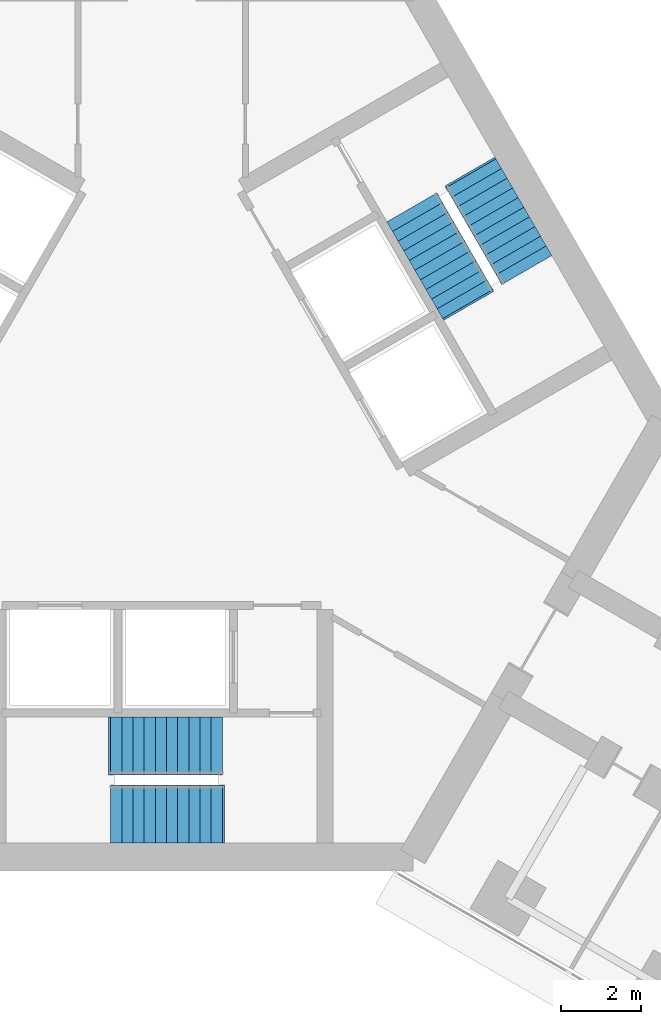
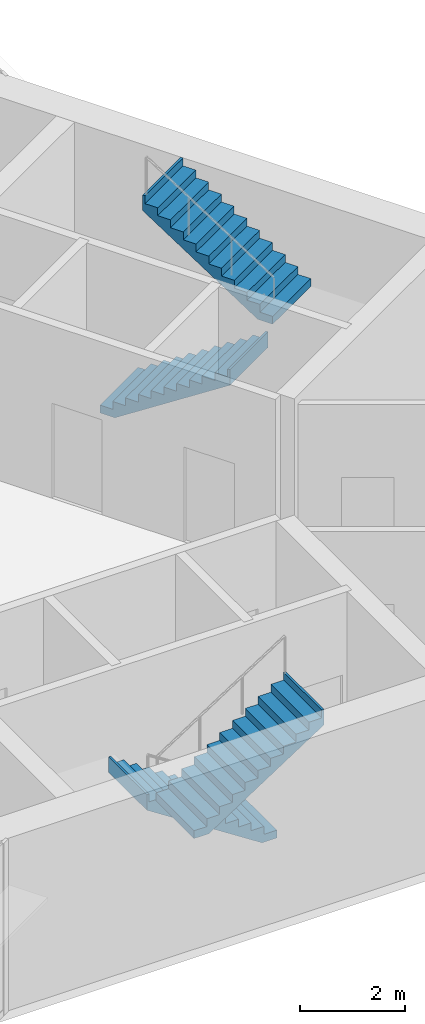
# One storey, part 24 of 25: 4 stair flights, 2 elements without a shape of their own.
"""IFC4 building model written with IfcOpenShell, lengths in metres."""

from ifc_helpers import new_model, si_unit, direction, frame, origin, place, context, subcontext, project, spatial, polyline, outline, extrude, material, type_object, element, aggregate, save


model = new_model("IFC4")

# Units and contexts
model_context = context("Model", 3, precision=1e-05, world=origin(), true_north=direction((0.0, 1.0)))
body_context = subcontext(model_context, "Body", "Model", "MODEL_VIEW")
ifc_project = project(units=[si_unit("LENGTHUNIT", "METRE"), si_unit("AREAUNIT", "SQUARE_METRE"), si_unit("VOLUMEUNIT", "CUBIC_METRE"), si_unit("PLANEANGLEUNIT", "RADIAN"), si_unit("MASSUNIT", "GRAM", prefix="KILO")], contexts=[model_context])

# Site, building, storey
site_placement = place(None, origin())
site = spatial("IfcSite", under=ifc_project, at=site_placement, CompositionType="ELEMENT")
building_placement = place(site_placement, origin())
building = spatial("IfcBuilding", under=site, at=building_placement, Name="Upepo Twin Towers", CompositionType="ELEMENT")
storey_placement = place(building_placement, frame((0.0, 0.0, 84.5)))
storey = spatial("IfcBuildingStorey", under=building, at=storey_placement, Name="L20", CompositionType="ELEMENT", Elevation=84.5)

# Stair, stair flights
ifc_material_1 = material(Name="Concrete C40/50", Category="concrete")
stair_type = type_object("IfcStairType", Name="Core stair, two flights", PredefinedType="HALF_TURN_STAIR", material=ifc_material_1)
stair_1_placement = place(storey_placement, origin())
stair_1 = element("IfcStair", 1, at=stair_1_placement, inside=storey, type_object=stair_type, Name="T2 stair S1 L20", PredefinedType="HALF_TURN_STAIR")
ifc_material_2 = material(Name="Concrete C40/50", Category="concrete")
stair_flight_type = type_object("IfcStairFlightType", Name="Stair flight 1450 RC", PredefinedType="STRAIGHT", material=ifc_material_2)
stair_flight_1_placement = place(storey_placement, frame((60.02001953125, -26.125, 0.0), z_axis=(0.0, 0.0, 1.0), x_axis=(-1.0, 0.0, 0.0)))
stair_flight_1 = element("IfcStairFlight", 2, at=stair_flight_1_placement, type_object=stair_flight_type, Name="Stair S1 flight 1", NumberOfRisers=11, NumberOfTreads=10, PredefinedType="STRAIGHT", RiserHeight=0.181818182, TreadLength=0.28, context=body_context, shape_type="SweptSolid", body=[
    extrude(outline(polyline([(0.0, 0.0), (0.0, 0.181884765625), (0.280029296875, 0.181884765625), (0.280029296875, 0.363525390625), (0.56005859375, 0.363525390625), (0.56005859375, 0.54541015625), (0.840087890625, 0.54541015625), (0.840087890625, 0.727294921875), (1.1201171875, 0.727294921875), (1.1201171875, 0.9091796875), (1.39990234375, 0.9091796875), (1.39990234375, 1.0908203125), (1.679931640625, 1.0908203125), (1.679931640625, 1.272705078125), (1.9599609375, 1.272705078125), (1.9599609375, 1.45458984375), (2.239990234375, 1.45458984375), (2.239990234375, 1.636474609375), (2.52001953125, 1.636474609375), (2.52001953125, 1.818115234375), (2.800048828125, 1.818115234375), (2.800048828125, 2.0), (2.85009765625, 2.0), (2.85009765625, 1.639404296875), (0.3251953125, 0.0), (0.0, 0.0)])), frame((0.0, 0.72509765625, 0.0), z_axis=(0.0, -1.0, 0.0), x_axis=(1.0, 0.0, 0.0)), (0.0, 0.0, 1.0), 1.449951171875),
])
stair_flight_2_placement = place(storey_placement, frame((57.219970703125, -27.833251953125, 2.0), z_axis=(0.0, 0.0, 1.0), x_axis=(1.0, 0.0, 0.0)))
stair_flight_2 = element("IfcStairFlight", 3, at=stair_flight_2_placement, type_object=stair_flight_type, Name="Stair S1 flight 2", NumberOfRisers=11, NumberOfTreads=10, PredefinedType="STRAIGHT", RiserHeight=0.181818182, TreadLength=0.28, context=body_context, shape_type="SweptSolid", body=[
    extrude(outline(polyline([(0.0, 0.0), (0.0, 0.181884765625), (0.280029296875, 0.181884765625), (0.280029296875, 0.363525390625), (0.56005859375, 0.363525390625), (0.56005859375, 0.54541015625), (0.840087890625, 0.54541015625), (0.840087890625, 0.727294921875), (1.1201171875, 0.727294921875), (1.1201171875, 0.9091796875), (1.39990234375, 0.9091796875), (1.39990234375, 1.0908203125), (1.679931640625, 1.0908203125), (1.679931640625, 1.272705078125), (1.9599609375, 1.272705078125), (1.9599609375, 1.45458984375), (2.239990234375, 1.45458984375), (2.239990234375, 1.636474609375), (2.52001953125, 1.636474609375), (2.52001953125, 1.818115234375), (2.800048828125, 1.818115234375), (2.800048828125, 2.0), (2.85009765625, 2.0), (2.85009765625, 1.639404296875), (0.3251953125, 0.0), (0.0, 0.0)])), frame((0.0, 0.72509765625, 0.0), z_axis=(0.0, -1.0, 0.0), x_axis=(1.0, 0.0, 0.0)), (0.0, 0.0, 1.0), 1.449951171875),
])
aggregate(stair_1, [stair_flight_1, stair_flight_2])

stair_2_placement = place(storey_placement, origin())
stair_2 = element("IfcStair", 4, at=stair_2_placement, inside=storey, type_object=stair_type, Name="T2 stair S2 L20", PredefinedType="HALF_TURN_STAIR")
stair_flight_3_placement = place(storey_placement, frame((64.7763671875, -12.62109375, 0.0), z_axis=(0.0, 0.0, 1.0), x_axis=(0.5, -0.866025403784, 0.0)))
stair_flight_3 = element("IfcStairFlight", 5, at=stair_flight_3_placement, type_object=stair_flight_type, Name="Stair S2 flight 1", NumberOfRisers=11, NumberOfTreads=10, PredefinedType="STRAIGHT", RiserHeight=0.181818182, TreadLength=0.28, context=body_context, shape_type="SweptSolid", body=[
    extrude(outline(polyline([(0.0, 0.0), (0.0, 0.181884765625), (0.280029296875, 0.181884765625), (0.280029296875, 0.363525390625), (0.56005859375, 0.363525390625), (0.56005859375, 0.54541015625), (0.840087890625, 0.54541015625), (0.840087890625, 0.727294921875), (1.1201171875, 0.727294921875), (1.1201171875, 0.9091796875), (1.39990234375, 0.9091796875), (1.39990234375, 1.0908203125), (1.679931640625, 1.0908203125), (1.679931640625, 1.272705078125), (1.9599609375, 1.272705078125), (1.9599609375, 1.45458984375), (2.239990234375, 1.45458984375), (2.239990234375, 1.636474609375), (2.52001953125, 1.636474609375), (2.52001953125, 1.818115234375), (2.800048828125, 1.818115234375), (2.800048828125, 2.0), (2.85009765625, 2.0), (2.85009765625, 1.639404296875), (0.3251953125, 0.0), (0.0, 0.0)])), frame((0.0, 0.72509765625, 0.0), z_axis=(0.0, -1.0, 0.0), x_axis=(1.0, 0.0, 0.0)), (0.0, 0.0, 1.0), 1.449951171875),
])
stair_flight_4_placement = place(storey_placement, frame((67.656005859375, -14.19189453125, 2.0), z_axis=(0.0, 0.0, 1.0), x_axis=(-0.5, 0.866025403784, 0.0)))
stair_flight_4 = element("IfcStairFlight", 6, at=stair_flight_4_placement, type_object=stair_flight_type, Name="Stair S2 flight 2", NumberOfRisers=11, NumberOfTreads=10, PredefinedType="STRAIGHT", RiserHeight=0.181818182, TreadLength=0.28, context=body_context, shape_type="SweptSolid", body=[
    extrude(outline(polyline([(0.0, 0.0), (0.0, 0.181884765625), (0.280029296875, 0.181884765625), (0.280029296875, 0.363525390625), (0.56005859375, 0.363525390625), (0.56005859375, 0.54541015625), (0.840087890625, 0.54541015625), (0.840087890625, 0.727294921875), (1.1201171875, 0.727294921875), (1.1201171875, 0.9091796875), (1.39990234375, 0.9091796875), (1.39990234375, 1.0908203125), (1.679931640625, 1.0908203125), (1.679931640625, 1.272705078125), (1.9599609375, 1.272705078125), (1.9599609375, 1.45458984375), (2.239990234375, 1.45458984375), (2.239990234375, 1.636474609375), (2.52001953125, 1.636474609375), (2.52001953125, 1.818115234375), (2.800048828125, 1.818115234375), (2.800048828125, 2.0), (2.85009765625, 2.0), (2.85009765625, 1.639404296875), (0.3251953125, 0.0), (0.0, 0.0)])), frame((0.0, 0.72509765625, 0.0), z_axis=(0.0, -1.0, 0.0), x_axis=(1.0, 0.0, 0.0)), (0.0, 0.0, 1.0), 1.449951171875),
])
aggregate(stair_2, [stair_flight_3, stair_flight_4])

save(model, "model.ifc")
